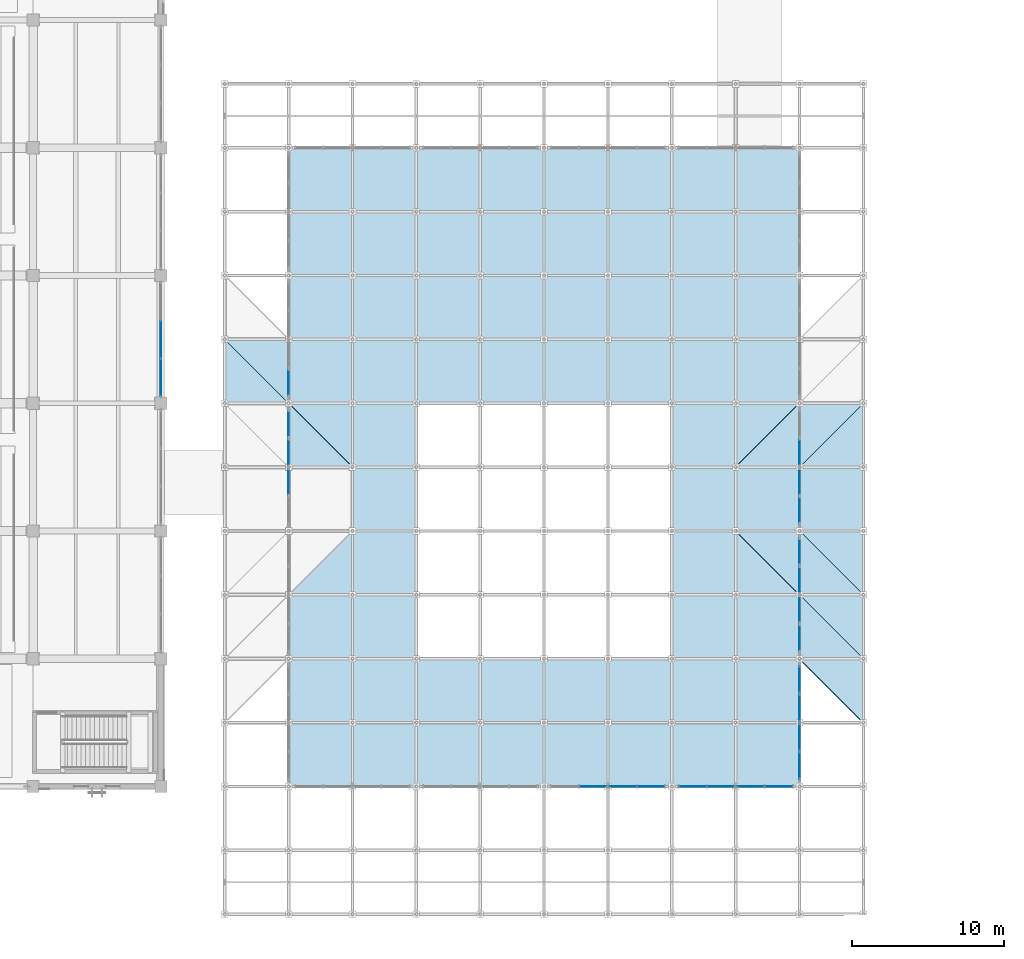
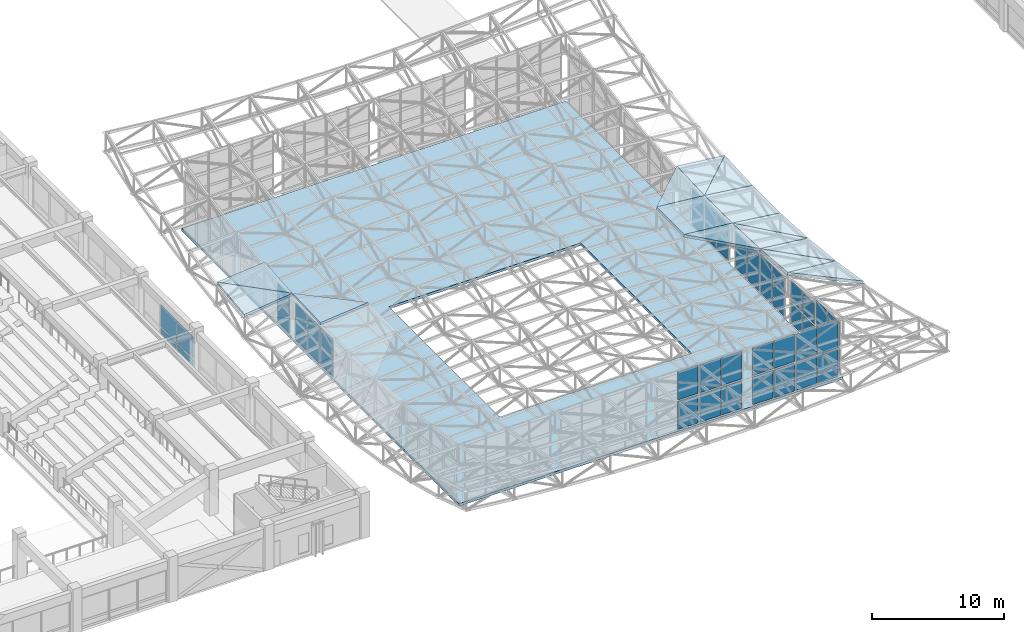
# One storey, part 63 of 132: 37 plates, 15 slabs, 14 elements without a shape of their own.
"""IFC4 building model written with IfcOpenShell, lengths in metres."""

from ifc_helpers import new_model, si_unit, direction, frame, origin, origin_2d, place, context, subcontext, project, spatial, polyline, rectangle, outline, extrude, material, layer, layer_set, type_object, element, aggregate, save


model = new_model("IFC4")

# Units and contexts
model_context = context("Model", 3, precision=1e-05, world=origin(), true_north=direction((0.0, 1.0)))
body_context = subcontext(model_context, "Body", "Model", "MODEL_VIEW")
ifc_project = project(units=[si_unit("LENGTHUNIT", "METRE"), si_unit("AREAUNIT", "SQUARE_METRE"), si_unit("VOLUMEUNIT", "CUBIC_METRE"), si_unit("PLANEANGLEUNIT", "RADIAN"), si_unit("MASSUNIT", "GRAM", prefix="KILO")], contexts=[model_context])

# Site, building, storey
site_placement = place(None, origin())
site = spatial("IfcSite", under=ifc_project, at=site_placement, CompositionType="ELEMENT")
building_placement = place(site_placement, origin())
building = spatial("IfcBuilding", under=site, at=building_placement, Name="Cumbredor Promenade Congress Hotel", CompositionType="ELEMENT")
storey_placement = place(building_placement, frame((0.0, 0.0, 7.56005859375)))
storey = spatial("IfcBuildingStorey", under=building, at=storey_placement, Name="L02", CompositionType="ELEMENT", Elevation=7.56005859375)

# Curtain wall, plates
ifc_material_1 = material(Name="Thermally broken anodized aluminium and low-E glass", Category="aluminium")
curtain_wall_type_1 = type_object("IfcCurtainWallType", Name="Stepped Pavilion Clerestory Curtain Wall CW-06", PredefinedType="NOTDEFINED", material=ifc_material_1)
curtain_wall_1_placement = place(storey_placement, origin())
curtain_wall_1 = element("IfcCurtainWall", 1, at=curtain_wall_1_placement, inside=storey, type_object=curtain_wall_type_1, Name="Thermal Spa and Hydrotherapy Pavilion S Glazed Clerestory 5", PredefinedType="NOTDEFINED")
ifc_material_2 = material(Name="Laminated low-E solar-control glass", Category="glass")
ifc_layer_1 = layer(ifc_material_2, 0.031982421875, Name="Laminated low-E solar-control glass", Category="glass")
ifc_layer_set_1 = layer_set([ifc_layer_1], Name="Laminated low-E solar-control glass")
plate_type_1 = type_object("IfcPlateType", Name="Clerestory Glazed Vision Panel PNL-07", PredefinedType="CURTAIN_PANEL", material=ifc_layer_set_1)
plate_1_placement = place(storey_placement, frame((95.6298828125, 8.39990234375, 0.169921875), z_axis=(0.0, 0.0, 1.0), x_axis=(1.0, 0.0, 0.0)))
plate_1 = element("IfcPlate", 2, at=plate_1_placement, type_object=plate_type_1, Name="Thermal Spa and Hydrotherapy Pavilion S Glazed Clerestory 5 Glazing Panel 2.1", PredefinedType="CURTAIN_PANEL", context=body_context, shape_type="SweptSolid", body=[
    extrude(rectangle(XDim=1.77490234375, YDim=0.031982421875, at=origin_2d()), origin(), (0.0, 0.0, 1.0), 2.56005859375),
])
plate_2_placement = place(storey_placement, frame((95.6298828125, 8.39990234375, 2.909912109375), z_axis=(0.0, 0.0, 1.0), x_axis=(1.0, 0.0, 0.0)))
plate_2 = element("IfcPlate", 3, at=plate_2_placement, type_object=plate_type_1, Name="Thermal Spa and Hydrotherapy Pavilion S Glazed Clerestory 5 Glazing Panel 2.2", PredefinedType="CURTAIN_PANEL", context=body_context, shape_type="SweptSolid", body=[
    extrude(rectangle(XDim=1.77490234375, YDim=0.031982421875, at=origin_2d()), origin(), (0.0, 0.0, 1.0), 2.56005859375),
])
aggregate(curtain_wall_1, [plate_1, plate_2])

curtain_wall_2_placement = place(storey_placement, origin())
curtain_wall_2 = element("IfcCurtainWall", 4, at=curtain_wall_2_placement, inside=storey, type_object=curtain_wall_type_1, Name="Thermal Spa and Hydrotherapy Pavilion S Glazed Clerestory 6", PredefinedType="NOTDEFINED")
plate_3_placement = place(storey_placement, frame((97.570068359375, 8.39990234375, 0.169921875), z_axis=(0.0, 0.0, 1.0), x_axis=(1.0, 0.0, 0.0)))
plate_3 = element("IfcPlate", 5, at=plate_3_placement, type_object=plate_type_1, Name="Thermal Spa and Hydrotherapy Pavilion S Glazed Clerestory 6 Glazing Panel 1.1", PredefinedType="CURTAIN_PANEL", context=body_context, shape_type="SweptSolid", body=[
    extrude(rectangle(XDim=1.77490234375, YDim=0.031982421875, at=origin_2d()), origin(), (0.0, 0.0, 1.0), 2.550048828125),
])
plate_4_placement = place(storey_placement, frame((97.570068359375, 8.39990234375, 2.89990234375), z_axis=(0.0, 0.0, 1.0), x_axis=(1.0, 0.0, 0.0)))
plate_4 = element("IfcPlate", 6, at=plate_4_placement, type_object=plate_type_1, Name="Thermal Spa and Hydrotherapy Pavilion S Glazed Clerestory 6 Glazing Panel 1.2", PredefinedType="CURTAIN_PANEL", context=body_context, shape_type="SweptSolid", body=[
    extrude(rectangle(XDim=1.77490234375, YDim=0.031982421875, at=origin_2d()), origin(), (0.0, 0.0, 1.0), 2.550048828125),
])
plate_5_placement = place(storey_placement, frame((99.429931640625, 8.39990234375, 0.169921875), z_axis=(0.0, 0.0, 1.0), x_axis=(1.0, 0.0, 0.0)))
plate_5 = element("IfcPlate", 7, at=plate_5_placement, type_object=plate_type_1, Name="Thermal Spa and Hydrotherapy Pavilion S Glazed Clerestory 6 Glazing Panel 2.1", PredefinedType="CURTAIN_PANEL", context=body_context, shape_type="SweptSolid", body=[
    extrude(rectangle(XDim=1.77490234375, YDim=0.031982421875, at=origin_2d()), origin(), (0.0, 0.0, 1.0), 2.550048828125),
])
plate_6_placement = place(storey_placement, frame((99.429931640625, 8.39990234375, 2.89990234375), z_axis=(0.0, 0.0, 1.0), x_axis=(1.0, 0.0, 0.0)))
plate_6 = element("IfcPlate", 8, at=plate_6_placement, type_object=plate_type_1, Name="Thermal Spa and Hydrotherapy Pavilion S Glazed Clerestory 6 Glazing Panel 2.2", PredefinedType="CURTAIN_PANEL", context=body_context, shape_type="SweptSolid", body=[
    extrude(rectangle(XDim=1.77490234375, YDim=0.031982421875, at=origin_2d()), origin(), (0.0, 0.0, 1.0), 2.550048828125),
])
aggregate(curtain_wall_2, [plate_3, plate_4, plate_5, plate_6])

curtain_wall_3_placement = place(storey_placement, origin())
curtain_wall_3 = element("IfcCurtainWall", 9, at=curtain_wall_3_placement, inside=storey, type_object=curtain_wall_type_1, Name="Thermal Spa and Hydrotherapy Pavilion S Glazed Clerestory 7", PredefinedType="NOTDEFINED")
plate_7_placement = place(storey_placement, frame((102.169921875, 8.39990234375, 0.169921875), z_axis=(0.0, 0.0, 1.0), x_axis=(1.0, 0.0, 0.0)))
plate_7 = element("IfcPlate", 10, at=plate_7_placement, type_object=plate_type_1, Name="Thermal Spa and Hydrotherapy Pavilion S Glazed Clerestory 7 Glazing Panel 1.1", PredefinedType="CURTAIN_PANEL", context=body_context, shape_type="SweptSolid", body=[
    extrude(rectangle(XDim=1.77490234375, YDim=0.031982421875, at=origin_2d()), origin(), (0.0, 0.0, 1.0), 2.530029296875),
])
plate_8_placement = place(storey_placement, frame((102.169921875, 8.39990234375, 2.8798828125), z_axis=(0.0, 0.0, 1.0), x_axis=(1.0, 0.0, 0.0)))
plate_8 = element("IfcPlate", 11, at=plate_8_placement, type_object=plate_type_1, Name="Thermal Spa and Hydrotherapy Pavilion S Glazed Clerestory 7 Glazing Panel 1.2", PredefinedType="CURTAIN_PANEL", context=body_context, shape_type="SweptSolid", body=[
    extrude(rectangle(XDim=1.77490234375, YDim=0.031982421875, at=origin_2d()), origin(), (0.0, 0.0, 1.0), 2.52001953125),
])
plate_9_placement = place(storey_placement, frame((104.030029296875, 8.39990234375, 0.169921875), z_axis=(0.0, 0.0, 1.0), x_axis=(1.0, 0.0, 0.0)))
plate_9 = element("IfcPlate", 12, at=plate_9_placement, type_object=plate_type_1, Name="Thermal Spa and Hydrotherapy Pavilion S Glazed Clerestory 7 Glazing Panel 2.1", PredefinedType="CURTAIN_PANEL", context=body_context, shape_type="SweptSolid", body=[
    extrude(rectangle(XDim=1.77490234375, YDim=0.031982421875, at=origin_2d()), origin(), (0.0, 0.0, 1.0), 2.530029296875),
])
plate_10_placement = place(storey_placement, frame((104.030029296875, 8.39990234375, 2.8798828125), z_axis=(0.0, 0.0, 1.0), x_axis=(1.0, 0.0, 0.0)))
plate_10 = element("IfcPlate", 13, at=plate_10_placement, type_object=plate_type_1, Name="Thermal Spa and Hydrotherapy Pavilion S Glazed Clerestory 7 Glazing Panel 2.2", PredefinedType="CURTAIN_PANEL", context=body_context, shape_type="SweptSolid", body=[
    extrude(rectangle(XDim=1.77490234375, YDim=0.031982421875, at=origin_2d()), origin(), (0.0, 0.0, 1.0), 2.52001953125),
])
aggregate(curtain_wall_3, [plate_7, plate_8, plate_9, plate_10])

curtain_wall_4_placement = place(storey_placement, origin())
curtain_wall_4 = element("IfcCurtainWall", 14, at=curtain_wall_4_placement, inside=storey, type_object=curtain_wall_type_1, Name="Thermal Spa and Hydrotherapy Pavilion S Glazed Clerestory 8", PredefinedType="NOTDEFINED")
plate_11_placement = place(storey_placement, frame((105.969970703125, 8.39990234375, 0.169921875), z_axis=(0.0, 0.0, 1.0), x_axis=(1.0, 0.0, 0.0)))
plate_11 = element("IfcPlate", 15, at=plate_11_placement, type_object=plate_type_1, Name="Thermal Spa and Hydrotherapy Pavilion S Glazed Clerestory 8 Glazing Panel 1.1", PredefinedType="CURTAIN_PANEL", context=body_context, shape_type="SweptSolid", body=[
    extrude(rectangle(XDim=1.77490234375, YDim=0.031982421875, at=origin_2d()), origin(), (0.0, 0.0, 1.0), 2.489990234375),
])
plate_12_placement = place(storey_placement, frame((105.969970703125, 8.39990234375, 2.83984375), z_axis=(0.0, 0.0, 1.0), x_axis=(1.0, 0.0, 0.0)))
plate_12 = element("IfcPlate", 16, at=plate_12_placement, type_object=plate_type_1, Name="Thermal Spa and Hydrotherapy Pavilion S Glazed Clerestory 8 Glazing Panel 1.2", PredefinedType="CURTAIN_PANEL", context=body_context, shape_type="SweptSolid", body=[
    extrude(rectangle(XDim=1.77490234375, YDim=0.031982421875, at=origin_2d()), origin(), (0.0, 0.0, 1.0), 2.5),
])
plate_13_placement = place(storey_placement, frame((107.830078125, 8.39990234375, 0.169921875), z_axis=(0.0, 0.0, 1.0), x_axis=(1.0, 0.0, 0.0)))
plate_13 = element("IfcPlate", 17, at=plate_13_placement, type_object=plate_type_1, Name="Thermal Spa and Hydrotherapy Pavilion S Glazed Clerestory 8 Glazing Panel 2.1", PredefinedType="CURTAIN_PANEL", context=body_context, shape_type="SweptSolid", body=[
    extrude(rectangle(XDim=1.77490234375, YDim=0.031982421875, at=origin_2d()), origin(), (0.0, 0.0, 1.0), 2.489990234375),
])
plate_14_placement = place(storey_placement, frame((107.830078125, 8.39990234375, 2.83984375), z_axis=(0.0, 0.0, 1.0), x_axis=(1.0, 0.0, 0.0)))
plate_14 = element("IfcPlate", 18, at=plate_14_placement, type_object=plate_type_1, Name="Thermal Spa and Hydrotherapy Pavilion S Glazed Clerestory 8 Glazing Panel 2.2", PredefinedType="CURTAIN_PANEL", context=body_context, shape_type="SweptSolid", body=[
    extrude(rectangle(XDim=1.77490234375, YDim=0.031982421875, at=origin_2d()), origin(), (0.0, 0.0, 1.0), 2.5),
])
aggregate(curtain_wall_4, [plate_11, plate_12, plate_13, plate_14])

# Curtain wall, plate
curtain_wall_5_placement = place(storey_placement, origin())
curtain_wall_5 = element("IfcCurtainWall", 19, at=curtain_wall_5_placement, inside=storey, type_object=curtain_wall_type_1, Name="Thermal Spa and Hydrotherapy Pavilion W Glazed Clerestory 5", PredefinedType="NOTDEFINED")
plate_15_placement = place(storey_placement, frame((75.60009765625, 28.429931640625, 0.169921875), z_axis=(0.0, 0.0, 1.0), x_axis=(0.0, 1.0, 0.0)))
plate_15 = element("IfcPlate", 20, at=plate_15_placement, type_object=plate_type_1, Name="Thermal Spa and Hydrotherapy Pavilion W Glazed Clerestory 5 Glazing Panel 2.1", PredefinedType="CURTAIN_PANEL", context=body_context, shape_type="SweptSolid", body=[
    extrude(rectangle(XDim=1.77490234375, YDim=0.031982421875, at=origin_2d()), origin(), (0.0, 0.0, 1.0), 3.409912109375),
])
aggregate(curtain_wall_5, [plate_15])

# Curtain wall, plates
curtain_wall_6_placement = place(storey_placement, origin())
curtain_wall_6 = element("IfcCurtainWall", 21, at=curtain_wall_6_placement, inside=storey, type_object=curtain_wall_type_1, Name="Thermal Spa and Hydrotherapy Pavilion W Glazed Clerestory 6", PredefinedType="NOTDEFINED")
plate_16_placement = place(storey_placement, frame((75.60009765625, 30.3701171875, 0.169921875), z_axis=(0.0, 0.0, 1.0), x_axis=(0.0, 1.0, 0.0)))
plate_16 = element("IfcPlate", 22, at=plate_16_placement, type_object=plate_type_1, Name="Thermal Spa and Hydrotherapy Pavilion W Glazed Clerestory 6 Glazing Panel 1.1", PredefinedType="CURTAIN_PANEL", context=body_context, shape_type="SweptSolid", body=[
    extrude(rectangle(XDim=1.77490234375, YDim=0.031982421875, at=origin_2d()), origin(), (0.0, 0.0, 1.0), 3.409912109375),
])
plate_17_placement = place(storey_placement, frame((75.60009765625, 32.22998046875, 0.169921875), z_axis=(0.0, 0.0, 1.0), x_axis=(0.0, 1.0, 0.0)))
plate_17 = element("IfcPlate", 23, at=plate_17_placement, type_object=plate_type_1, Name="Thermal Spa and Hydrotherapy Pavilion W Glazed Clerestory 6 Glazing Panel 2.1", PredefinedType="CURTAIN_PANEL", context=body_context, shape_type="SweptSolid", body=[
    extrude(rectangle(XDim=1.77490234375, YDim=0.031982421875, at=origin_2d()), origin(), (0.0, 0.0, 1.0), 3.409912109375),
])
aggregate(curtain_wall_6, [plate_16, plate_17])

# Curtain wall, plate
curtain_wall_7_placement = place(storey_placement, origin())
curtain_wall_7 = element("IfcCurtainWall", 24, at=curtain_wall_7_placement, inside=storey, type_object=curtain_wall_type_1, Name="Thermal Spa and Hydrotherapy Pavilion W Glazed Clerestory 7", PredefinedType="NOTDEFINED")
plate_18_placement = place(storey_placement, frame((75.60009765625, 34.969970703125, 0.169921875), z_axis=(0.0, 0.0, 1.0), x_axis=(0.0, 1.0, 0.0)))
plate_18 = element("IfcPlate", 25, at=plate_18_placement, type_object=plate_type_1, Name="Thermal Spa and Hydrotherapy Pavilion W Glazed Clerestory 7 Glazing Panel 1.1", PredefinedType="CURTAIN_PANEL", context=body_context, shape_type="SweptSolid", body=[
    extrude(rectangle(XDim=1.77490234375, YDim=0.031982421875, at=origin_2d()), origin(), (0.0, 0.0, 1.0), 3.590087890625),
])
aggregate(curtain_wall_7, [plate_18])

# Curtain wall, plates
curtain_wall_8_placement = place(storey_placement, origin())
curtain_wall_8 = element("IfcCurtainWall", 26, at=curtain_wall_8_placement, inside=storey, type_object=curtain_wall_type_1, Name="Thermal Spa and Hydrotherapy Pavilion E Glazed Clerestory 1", PredefinedType="NOTDEFINED")
plate_19_placement = place(storey_placement, frame((109.199951171875, 9.77001953125, 0.169921875), z_axis=(0.0, 0.0, 1.0), x_axis=(0.0, 1.0, 0.0)))
plate_19 = element("IfcPlate", 27, at=plate_19_placement, type_object=plate_type_1, Name="Thermal Spa and Hydrotherapy Pavilion E Glazed Clerestory 1 Glazing Panel 1.1", PredefinedType="CURTAIN_PANEL", context=body_context, shape_type="SweptSolid", body=[
    extrude(rectangle(XDim=1.77490234375, YDim=0.031982421875, at=origin_2d()), origin(), (0.0, 0.0, 1.0), 2.139892578125),
])
plate_20_placement = place(storey_placement, frame((109.199951171875, 9.77001953125, 2.489990234375), z_axis=(0.0, 0.0, 1.0), x_axis=(0.0, 1.0, 0.0)))
plate_20 = element("IfcPlate", 28, at=plate_20_placement, type_object=plate_type_1, Name="Thermal Spa and Hydrotherapy Pavilion E Glazed Clerestory 1 Glazing Panel 1.2", PredefinedType="CURTAIN_PANEL", context=body_context, shape_type="SweptSolid", body=[
    extrude(rectangle(XDim=1.77490234375, YDim=0.031982421875, at=origin_2d()), origin(), (0.0, 0.0, 1.0), 2.14990234375),
])
plate_21_placement = place(storey_placement, frame((109.199951171875, 11.6298828125, 0.169921875), z_axis=(0.0, 0.0, 1.0), x_axis=(0.0, 1.0, 0.0)))
plate_21 = element("IfcPlate", 29, at=plate_21_placement, type_object=plate_type_1, Name="Thermal Spa and Hydrotherapy Pavilion E Glazed Clerestory 1 Glazing Panel 2.1", PredefinedType="CURTAIN_PANEL", context=body_context, shape_type="SweptSolid", body=[
    extrude(rectangle(XDim=1.77490234375, YDim=0.031982421875, at=origin_2d()), origin(), (0.0, 0.0, 1.0), 2.139892578125),
])
plate_22_placement = place(storey_placement, frame((109.199951171875, 11.6298828125, 2.489990234375), z_axis=(0.0, 0.0, 1.0), x_axis=(0.0, 1.0, 0.0)))
plate_22 = element("IfcPlate", 30, at=plate_22_placement, type_object=plate_type_1, Name="Thermal Spa and Hydrotherapy Pavilion E Glazed Clerestory 1 Glazing Panel 2.2", PredefinedType="CURTAIN_PANEL", context=body_context, shape_type="SweptSolid", body=[
    extrude(rectangle(XDim=1.77490234375, YDim=0.031982421875, at=origin_2d()), origin(), (0.0, 0.0, 1.0), 2.14990234375),
])
aggregate(curtain_wall_8, [plate_19, plate_20, plate_21, plate_22])

curtain_wall_9_placement = place(storey_placement, origin())
curtain_wall_9 = element("IfcCurtainWall", 31, at=curtain_wall_9_placement, inside=storey, type_object=curtain_wall_type_1, Name="Thermal Spa and Hydrotherapy Pavilion E Glazed Clerestory 2", PredefinedType="NOTDEFINED")
plate_23_placement = place(storey_placement, frame((109.199951171875, 13.570068359375, 0.169921875), z_axis=(0.0, 0.0, 1.0), x_axis=(0.0, 1.0, 0.0)))
plate_23 = element("IfcPlate", 32, at=plate_23_placement, type_object=plate_type_1, Name="Thermal Spa and Hydrotherapy Pavilion E Glazed Clerestory 2 Glazing Panel 1.1", PredefinedType="CURTAIN_PANEL", context=body_context, shape_type="SweptSolid", body=[
    extrude(rectangle(XDim=1.77490234375, YDim=0.031982421875, at=origin_2d()), origin(), (0.0, 0.0, 1.0), 1.8798828125),
])
plate_24_placement = place(storey_placement, frame((109.199951171875, 13.570068359375, 2.22998046875), z_axis=(0.0, 0.0, 1.0), x_axis=(0.0, 1.0, 0.0)))
plate_24 = element("IfcPlate", 33, at=plate_24_placement, type_object=plate_type_1, Name="Thermal Spa and Hydrotherapy Pavilion E Glazed Clerestory 2 Glazing Panel 1.2", PredefinedType="CURTAIN_PANEL", context=body_context, shape_type="SweptSolid", body=[
    extrude(rectangle(XDim=1.77490234375, YDim=0.031982421875, at=origin_2d()), origin(), (0.0, 0.0, 1.0), 1.8798828125),
])
plate_25_placement = place(storey_placement, frame((109.199951171875, 15.429931640625, 0.169921875), z_axis=(0.0, 0.0, 1.0), x_axis=(0.0, 1.0, 0.0)))
plate_25 = element("IfcPlate", 34, at=plate_25_placement, type_object=plate_type_1, Name="Thermal Spa and Hydrotherapy Pavilion E Glazed Clerestory 2 Glazing Panel 2.1", PredefinedType="CURTAIN_PANEL", context=body_context, shape_type="SweptSolid", body=[
    extrude(rectangle(XDim=1.77490234375, YDim=0.031982421875, at=origin_2d()), origin(), (0.0, 0.0, 1.0), 1.8798828125),
])
plate_26_placement = place(storey_placement, frame((109.199951171875, 15.429931640625, 2.22998046875), z_axis=(0.0, 0.0, 1.0), x_axis=(0.0, 1.0, 0.0)))
plate_26 = element("IfcPlate", 35, at=plate_26_placement, type_object=plate_type_1, Name="Thermal Spa and Hydrotherapy Pavilion E Glazed Clerestory 2 Glazing Panel 2.2", PredefinedType="CURTAIN_PANEL", context=body_context, shape_type="SweptSolid", body=[
    extrude(rectangle(XDim=1.77490234375, YDim=0.031982421875, at=origin_2d()), origin(), (0.0, 0.0, 1.0), 1.8798828125),
])
aggregate(curtain_wall_9, [plate_23, plate_24, plate_25, plate_26])

curtain_wall_10_placement = place(storey_placement, origin())
curtain_wall_10 = element("IfcCurtainWall", 36, at=curtain_wall_10_placement, inside=storey, type_object=curtain_wall_type_1, Name="Thermal Spa and Hydrotherapy Pavilion E Glazed Clerestory 3", PredefinedType="NOTDEFINED")
plate_27_placement = place(storey_placement, frame((109.199951171875, 18.169921875, 0.169921875), z_axis=(0.0, 0.0, 1.0), x_axis=(0.0, 1.0, 0.0)))
plate_27 = element("IfcPlate", 37, at=plate_27_placement, type_object=plate_type_1, Name="Thermal Spa and Hydrotherapy Pavilion E Glazed Clerestory 3 Glazing Panel 1.1", PredefinedType="CURTAIN_PANEL", context=body_context, shape_type="SweptSolid", body=[
    extrude(rectangle(XDim=1.77490234375, YDim=0.031982421875, at=origin_2d()), origin(), (0.0, 0.0, 1.0), 3.590087890625),
])
plate_28_placement = place(storey_placement, frame((109.199951171875, 20.030029296875, 0.169921875), z_axis=(0.0, 0.0, 1.0), x_axis=(0.0, 1.0, 0.0)))
plate_28 = element("IfcPlate", 38, at=plate_28_placement, type_object=plate_type_1, Name="Thermal Spa and Hydrotherapy Pavilion E Glazed Clerestory 3 Glazing Panel 2.1", PredefinedType="CURTAIN_PANEL", context=body_context, shape_type="SweptSolid", body=[
    extrude(rectangle(XDim=1.77490234375, YDim=0.031982421875, at=origin_2d()), origin(), (0.0, 0.0, 1.0), 3.590087890625),
])
aggregate(curtain_wall_10, [plate_27, plate_28])

curtain_wall_11_placement = place(storey_placement, origin())
curtain_wall_11 = element("IfcCurtainWall", 39, at=curtain_wall_11_placement, inside=storey, type_object=curtain_wall_type_1, Name="Thermal Spa and Hydrotherapy Pavilion E Glazed Clerestory 4", PredefinedType="NOTDEFINED")
plate_29_placement = place(storey_placement, frame((109.199951171875, 21.969970703125, 0.169921875), z_axis=(0.0, 0.0, 1.0), x_axis=(0.0, 1.0, 0.0)))
plate_29 = element("IfcPlate", 40, at=plate_29_placement, type_object=plate_type_1, Name="Thermal Spa and Hydrotherapy Pavilion E Glazed Clerestory 4 Glazing Panel 1.1", PredefinedType="CURTAIN_PANEL", context=body_context, shape_type="SweptSolid", body=[
    extrude(rectangle(XDim=1.77490234375, YDim=0.031982421875, at=origin_2d()), origin(), (0.0, 0.0, 1.0), 3.409912109375),
])
plate_30_placement = place(storey_placement, frame((109.199951171875, 23.830078125, 0.169921875), z_axis=(0.0, 0.0, 1.0), x_axis=(0.0, 1.0, 0.0)))
plate_30 = element("IfcPlate", 41, at=plate_30_placement, type_object=plate_type_1, Name="Thermal Spa and Hydrotherapy Pavilion E Glazed Clerestory 4 Glazing Panel 2.1", PredefinedType="CURTAIN_PANEL", context=body_context, shape_type="SweptSolid", body=[
    extrude(rectangle(XDim=1.77490234375, YDim=0.031982421875, at=origin_2d()), origin(), (0.0, 0.0, 1.0), 3.409912109375),
])
aggregate(curtain_wall_11, [plate_29, plate_30])

curtain_wall_12_placement = place(storey_placement, origin())
curtain_wall_12 = element("IfcCurtainWall", 42, at=curtain_wall_12_placement, inside=storey, type_object=curtain_wall_type_1, Name="Thermal Spa and Hydrotherapy Pavilion E Glazed Clerestory 5", PredefinedType="NOTDEFINED")
plate_31_placement = place(storey_placement, frame((109.199951171875, 26.570068359375, 0.169921875), z_axis=(0.0, 0.0, 1.0), x_axis=(0.0, 1.0, 0.0)))
plate_31 = element("IfcPlate", 43, at=plate_31_placement, type_object=plate_type_1, Name="Thermal Spa and Hydrotherapy Pavilion E Glazed Clerestory 5 Glazing Panel 1.1", PredefinedType="CURTAIN_PANEL", context=body_context, shape_type="SweptSolid", body=[
    extrude(rectangle(XDim=1.77490234375, YDim=0.031982421875, at=origin_2d()), origin(), (0.0, 0.0, 1.0), 3.409912109375),
])
plate_32_placement = place(storey_placement, frame((109.199951171875, 28.429931640625, 0.169921875), z_axis=(0.0, 0.0, 1.0), x_axis=(0.0, 1.0, 0.0)))
plate_32 = element("IfcPlate", 44, at=plate_32_placement, type_object=plate_type_1, Name="Thermal Spa and Hydrotherapy Pavilion E Glazed Clerestory 5 Glazing Panel 2.1", PredefinedType="CURTAIN_PANEL", context=body_context, shape_type="SweptSolid", body=[
    extrude(rectangle(XDim=1.77490234375, YDim=0.031982421875, at=origin_2d()), origin(), (0.0, 0.0, 1.0), 3.409912109375),
])
aggregate(curtain_wall_12, [plate_31, plate_32])

# Curtain wall, plate
curtain_wall_13_placement = place(storey_placement, origin())
curtain_wall_13 = element("IfcCurtainWall", 45, at=curtain_wall_13_placement, inside=storey, type_object=curtain_wall_type_1, Name="Thermal Spa and Hydrotherapy Pavilion E Glazed Clerestory 6", PredefinedType="NOTDEFINED")
plate_33_placement = place(storey_placement, frame((109.199951171875, 30.3701171875, 0.169921875), z_axis=(0.0, 0.0, 1.0), x_axis=(0.0, 1.0, 0.0)))
plate_33 = element("IfcPlate", 46, at=plate_33_placement, type_object=plate_type_1, Name="Thermal Spa and Hydrotherapy Pavilion E Glazed Clerestory 6 Glazing Panel 1.1", PredefinedType="CURTAIN_PANEL", context=body_context, shape_type="SweptSolid", body=[
    extrude(rectangle(XDim=1.77490234375, YDim=0.031982421875, at=origin_2d()), origin(), (0.0, 0.0, 1.0), 3.409912109375),
])
aggregate(curtain_wall_13, [plate_33])

# Curtain wall, plates
curtain_wall_type_2 = type_object("IfcCurtainWallType", Name="Unitised Bronze Curtain Wall CW-01", PredefinedType="NOTDEFINED", material=ifc_material_1)
curtain_wall_14_placement = place(storey_placement, origin())
curtain_wall_14 = element("IfcCurtainWall", 47, at=curtain_wall_14_placement, inside=storey, type_object=curtain_wall_type_2, Name="L02 Plenary Congress Hall East Curtain Wall 4", PredefinedType="NOTDEFINED")
ifc_layer_2 = layer(ifc_material_2, 0.028076171875, Name="Laminated low-E solar-control glass", Category="glass")
ifc_layer_set_2 = layer_set([ifc_layer_2], Name="Laminated low-E solar-control glass")
plate_type_2 = type_object("IfcPlateType", Name="Glazed Vision Panel PNL-01", PredefinedType="CURTAIN_PANEL", material=ifc_layer_set_2)
plate_34_placement = place(storey_placement, frame((67.199951171875, 35.30322265625, 0.784912109375), z_axis=(0.0, 0.0, 1.0), x_axis=(0.0, 1.0, 0.0)))
plate_34 = element("IfcPlate", 48, at=plate_34_placement, type_object=plate_type_2, Name="L02 Plenary Congress Hall East Curtain Wall 4 Glazing Panel 1.2", PredefinedType="CURTAIN_PANEL", context=body_context, shape_type="SweptSolid", body=[
    extrude(rectangle(XDim=2.431640625, YDim=0.028076171875, at=origin_2d()), origin(), (0.0, 0.0, 1.0), 2.02001953125),
])
plate_35_placement = place(storey_placement, frame((67.199951171875, 37.800048828125, 0.784912109375), z_axis=(0.0, 0.0, 1.0), x_axis=(0.0, 1.0, 0.0)))
plate_35 = element("IfcPlate", 49, at=plate_35_placement, type_object=plate_type_2, Name="L02 Plenary Congress Hall East Curtain Wall 4 Glazing Panel 2.2", PredefinedType="CURTAIN_PANEL", context=body_context, shape_type="SweptSolid", body=[
    extrude(rectangle(XDim=2.431640625, YDim=0.028076171875, at=origin_2d()), origin(), (0.0, 0.0, 1.0), 2.02001953125),
])
ifc_material_3 = material(Name="Thermally broken anodized aluminium", Category="aluminium")
ifc_layer_3 = layer(ifc_material_3, 0.0400390625, Name="Thermally broken anodized aluminium", Category="aluminium")
ifc_layer_set_3 = layer_set([ifc_layer_3], Name="Thermally broken anodized aluminium")
plate_type_3 = type_object("IfcPlateType", Name="Insulated Spandrel Panel PNL-06", PredefinedType="CURTAIN_PANEL", material=ifc_layer_set_3)
plate_36_placement = place(storey_placement, frame((67.199951171875, 35.30322265625, 0.125), z_axis=(0.0, 0.0, 1.0), x_axis=(0.0, 1.0, 0.0)))
plate_36 = element("IfcPlate", 50, at=plate_36_placement, type_object=plate_type_3, Name="L02 Plenary Congress Hall East Curtain Wall 4 Spandrel Panel 1.1", PredefinedType="CURTAIN_PANEL", context=body_context, shape_type="SweptSolid", body=[
    extrude(rectangle(XDim=2.431640625, YDim=0.0400390625, at=origin_2d()), origin(), (0.0, 0.0, 1.0), 0.530029296875),
])
plate_37_placement = place(storey_placement, frame((67.199951171875, 37.800048828125, 0.125), z_axis=(0.0, 0.0, 1.0), x_axis=(0.0, 1.0, 0.0)))
plate_37 = element("IfcPlate", 51, at=plate_37_placement, type_object=plate_type_3, Name="L02 Plenary Congress Hall East Curtain Wall 4 Spandrel Panel 2.1", PredefinedType="CURTAIN_PANEL", context=body_context, shape_type="SweptSolid", body=[
    extrude(rectangle(XDim=2.431640625, YDim=0.0400390625, at=origin_2d()), origin(), (0.0, 0.0, 1.0), 0.530029296875),
])
aggregate(curtain_wall_14, [plate_36, plate_34, plate_37, plate_35])

# Slabs
ifc_material_4 = material(Name="Concrete C40/50", Category="concrete")
ifc_layer_4 = layer(ifc_material_4, 0.235107421875, Name="Concrete C40/50", Category="concrete")
ifc_layer_set_4 = layer_set([ifc_layer_4], Name="Concrete C40/50")
slab_type_1 = type_object("IfcSlabType", Name="Pavilion Structural Ceiling Slab 235mm", PredefinedType="ROOF", material=ifc_layer_set_4)
slab_1_placement = place(storey_placement, frame((0.0, 0.0, -0.235107421875)))
element("IfcSlab", 52, at=slab_1_placement, inside=storey, type_object=slab_type_1, Name="Thermal Spa and Hydrotherapy Pavilion Top-Floor Structural Ceiling Slab", PredefinedType="ROOF", context=body_context, shape_type="SweptSolid", body=[
    extrude(outline(polyline([(75.60009765625, 8.39990234375), (109.199951171875, 8.39990234375), (109.199951171875, 50.39990234375), (75.60009765625, 50.39990234375), (75.60009765625, 8.39990234375)]), holes=[polyline([(84.0, 16.800048828125), (100.800048828125, 16.800048828125), (100.800048828125, 33.60009765625), (84.0, 33.60009765625), (84.0, 16.800048828125)])]), origin(), (0.0, 0.0, 1.0), 0.235107421875),
])
ifc_layer_5 = layer(ifc_material_4, 0.2451171875, Name="Concrete C40/50", Category="concrete")
ifc_layer_set_5 = layer_set([ifc_layer_5], Name="Concrete C40/50")
slab_type_2 = type_object("IfcSlabType", Name="Spa Catenary Roof Deck 245mm", PredefinedType="ROOF", material=ifc_layer_set_5)
slab_2_placement = place(storey_placement, frame((71.39990234375, 33.60009765625, 3.690185546875), z_axis=(-0.114839908372, -0.104682661268, 0.987852891819), x_axis=(0.993310460907, 0.0, 0.115474361882)))
element("IfcSlab", 53, at=slab_2_placement, inside=storey, type_object=slab_type_2, Name="Thermal Spa and Hydrotherapy Pavilion Sweeping Roof Deck Facet 1.9.1", PredefinedType="ROOF", context=body_context, shape_type="SweptSolid", body=[
    extrude(outline(polyline([(0.0, 0.0), (4.228481907522904, -6.938893903907228e-18), (0.05139398479261369, 4.22315454950184), (0.0, 0.0)])), origin(), (0.0, 0.0, -1.0), 0.2451171875),
])
slab_3_placement = place(storey_placement, frame((75.60009765625, 33.60009765625, 4.178466796875), z_axis=(-0.093594366401, -0.083392064634, 0.992111817354), x_axis=(0.0, 0.996485979202, 0.083759735274)))
element("IfcSlab", 54, at=slab_3_placement, inside=storey, type_object=slab_type_2, Name="Thermal Spa and Hydrotherapy Pavilion Sweeping Roof Deck Facet 1.9.2", PredefinedType="ROOF", context=body_context, shape_type="SweptSolid", body=[
    extrude(outline(polyline([(0.0, 0.0), (4.214761932964823, 6.938893903907228e-18), (4.181572955828483, 4.218713723195871), (0.0, 0.0)])), origin(), (0.0, 0.0, -1.0), 0.2451171875),
])
slab_4_placement = place(storey_placement, frame((75.60009765625, 29.39990234375, 4.001953125), z_axis=(-0.098369559312, -0.041784405048, 0.994272343624), x_axis=(0.995141450034, 0.0, 0.098455545426)))
element("IfcSlab", 55, at=slab_4_placement, inside=storey, type_object=slab_type_2, Name="Thermal Spa and Hydrotherapy Pavilion Sweeping Roof Deck Facet 2.8.1", PredefinedType="ROOF", context=body_context, shape_type="SweptSolid", body=[
    extrude(outline(polyline([(0.0, 0.0), (4.220456470518103, 0.0), (0.01737874983953427, 4.203866757945569), (0.0, 0.0)])), origin(), (0.0, 0.0, -1.0), 0.2451171875),
])
slab_5_placement = place(storey_placement, frame((109.199951171875, 21.0, 4.178466796875), z_axis=(0.098369549328, 0.041786829709, 0.994272242712), x_axis=(0.0, 0.999118010612, -0.041990485478)))
element("IfcSlab", 56, at=slab_5_placement, inside=storey, type_object=slab_type_2, Name="Thermal Spa and Hydrotherapy Pavilion Sweeping Roof Deck Facet 9.6.2", PredefinedType="ROOF", context=body_context, shape_type="SweptSolid", body=[
    extrude(outline(polyline([(0.0, 0.0), (4.203658754286911, 0.0), (4.186210559393598, 4.220420403233911), (0.0, 0.0)])), origin(), (0.0, 0.0, -1.0), 0.2451171875),
])
slab_6_placement = place(storey_placement, frame((105.0, 25.199951171875, 4.41748046875), z_axis=(0.098455545426, 0.0, 0.995141450034), x_axis=(0.995141450034, 0.0, -0.098455545426)))
element("IfcSlab", 57, at=slab_6_placement, inside=storey, type_object=slab_type_2, Name="Thermal Spa and Hydrotherapy Pavilion Sweeping Roof Deck Facet 9.7", PredefinedType="ROOF", context=body_context, shape_type="SweptSolid", body=[
    extrude(outline(polyline([(0.0, 0.0), (4.220456470518103, 0.0), (4.220456470518103, 4.199951171875), (0.0, 4.199951171875), (0.0, 0.0)])), origin(), (0.0, 0.0, -1.0), 0.2451171875),
])
slab_7_placement = place(storey_placement, frame((105.0, 29.39990234375, 4.41748046875), z_axis=(0.098369559312, -0.041784405048, 0.994272343624), x_axis=(0.995141450034, 0.0, -0.098455545426)))
element("IfcSlab", 58, at=slab_7_placement, inside=storey, type_object=slab_type_2, Name="Thermal Spa and Hydrotherapy Pavilion Sweeping Roof Deck Facet 9.8.1", PredefinedType="ROOF", context=body_context, shape_type="SweptSolid", body=[
    extrude(outline(polyline([(0.0, 0.0), (4.220456470518103, 0.0), (4.203077720678569, 4.203866757945568), (0.0, 0.0)])), origin(), (0.0, 0.0, -1.0), 0.2451171875),
])
slab_8_placement = place(storey_placement, frame((113.39990234375, 12.60009765625, 4.802734375), z_axis=(0.092772837989, 0.156279075208, 0.983346353623), x_axis=(0.0, 0.987605599722, -0.156955979169)))
element("IfcSlab", 59, at=slab_8_placement, inside=storey, type_object=slab_type_2, Name="Thermal Spa and Hydrotherapy Pavilion Sweeping Roof Deck Facet 10.4.2", PredefinedType="ROOF", context=body_context, shape_type="SweptSolid", body=[
    extrude(outline(polyline([(0.0, 0.0), (4.2526603464533705, 0.0), (4.19046807248096, 4.218142753692659), (0.0, 0.0)])), origin(), (0.0, 0.0, -1.0), 0.2451171875),
])
slab_9_placement = place(storey_placement, frame((109.199951171875, 16.800048828125, 4.531494140625), z_axis=(0.093599759322, 0.083392022169, 0.992111312149), x_axis=(0.99557909429, 0.0, -0.093926923794)))
element("IfcSlab", 60, at=slab_9_placement, inside=storey, type_object=slab_type_2, Name="Thermal Spa and Hydrotherapy Pavilion Sweeping Roof Deck Facet 10.5.1", PredefinedType="ROOF", context=body_context, shape_type="SweptSolid", body=[
    extrude(outline(polyline([(0.0, 0.0), (4.218601210054317, 0.0), (0.033158772413684166, 4.214631496036324), (0.0, 0.0)])), origin(), (0.0, 0.0, -1.0), 0.2451171875),
])
slab_10_placement = place(storey_placement, frame((113.39990234375, 16.800048828125, 4.13525390625), z_axis=(0.1148464959, 0.104682581013, 0.987852134488), x_axis=(0.0, 0.994432042203, -0.105379853103)))
element("IfcSlab", 61, at=slab_10_placement, inside=storey, type_object=slab_type_2, Name="Thermal Spa and Hydrotherapy Pavilion Sweeping Roof Deck Facet 10.5.2", PredefinedType="ROOF", context=body_context, shape_type="SweptSolid", body=[
    extrude(outline(polyline([(0.0, 0.0), (4.223467259332188, 6.938893903907228e-18), (4.172012252934095, 4.227926301102269), (0.0, 0.0)])), origin(), (0.0, 0.0, -1.0), 0.2451171875),
])
slab_11_placement = place(storey_placement, frame((109.199951171875, 21.0, 4.178466796875), z_axis=(0.115380488344, 0.041710046537, 0.992445270495), x_axis=(0.993309690955, 0.0, -0.115480984823)))
element("IfcSlab", 62, at=slab_11_placement, inside=storey, type_object=slab_type_2, Name="Thermal Spa and Hydrotherapy Pavilion Sweeping Roof Deck Facet 10.6.1", PredefinedType="ROOF", context=body_context, shape_type="SweptSolid", body=[
    extrude(outline(polyline([(0.0, 0.0), (4.228239400180144, 3.469446951953614e-18), (0.020383972662839946, 4.203609332008799), (0.0, 0.0)])), origin(), (0.0, 0.0, -1.0), 0.2451171875),
])
slab_12_placement = place(storey_placement, frame((113.39990234375, 21.0, 3.690185546875), z_axis=(0.125996972257, 0.052460348138, 0.990642556554), x_axis=(0.0, 0.998600779613, -0.052881782842)))
element("IfcSlab", 63, at=slab_12_placement, inside=storey, type_object=slab_type_2, Name="Thermal Spa and Hydrotherapy Pavilion Sweeping Roof Deck Facet 10.6.2", PredefinedType="ROOF", context=body_context, shape_type="SweptSolid", body=[
    extrude(outline(polyline([(0.0, 0.0), (4.205836063439803, 0.0), (4.177587689206932, 4.233691039037329), (0.0, 0.0)])), origin(), (0.0, 0.0, -1.0), 0.2451171875),
])
slab_13_placement = place(storey_placement, frame((109.199951171875, 25.199951171875, 4.001953125), z_axis=(0.126170708328, 0.0, 0.9920085445), x_axis=(0.9920085445, 0.0, -0.126170708328)))
element("IfcSlab", 64, at=slab_13_placement, inside=storey, type_object=slab_type_2, Name="Thermal Spa and Hydrotherapy Pavilion Sweeping Roof Deck Facet 10.7", PredefinedType="ROOF", context=body_context, shape_type="SweptSolid", body=[
    extrude(outline(polyline([(0.0, 0.0), (4.233785278526981, 0.0), (4.233785278526981, 4.199951171875), (0.0, 4.199951171875), (0.0, 0.0)])), origin(), (0.0, 0.0, -1.0), 0.2451171875),
])
slab_14_placement = place(storey_placement, frame((109.199951171875, 29.39990234375, 4.001953125), z_axis=(0.125996992412, -0.052457307218, 0.99064271502), x_axis=(0.9920085445, 0.0, -0.126170708328)))
element("IfcSlab", 65, at=slab_14_placement, inside=storey, type_object=slab_type_2, Name="Thermal Spa and Hydrotherapy Pavilion Sweeping Roof Deck Facet 10.8.1", PredefinedType="ROOF", context=body_context, shape_type="SweptSolid", body=[
    extrude(outline(polyline([(0.0, 0.0), (4.233785278526981, 6.938893903907228e-18), (4.205723385146434, 4.205986250534291), (0.0, 0.0)])), origin(), (0.0, 0.0, -1.0), 0.2451171875),
])
slab_15_placement = place(storey_placement, frame((109.199951171875, 29.39990234375, 4.001953125), z_axis=(0.115380500012, -0.041707626315, 0.992445370851), x_axis=(0.706114233957, 0.706155279951, -0.052415734277)))
element("IfcSlab", 66, at=slab_15_placement, inside=storey, type_object=slab_type_2, Name="Thermal Spa and Hydrotherapy Pavilion Sweeping Roof Deck Facet 10.8.2", PredefinedType="ROOF", context=body_context, shape_type="SweptSolid", body=[
    extrude(outline(polyline([(0.0, 0.0), (5.947976927666338, 5.48172618408671e-16), (2.9567380030272887, 2.988393903246353), (0.0, 0.0)])), origin(), (0.0, 0.0, -1.0), 0.2451171875),
])

save(model, "model.ifc")
